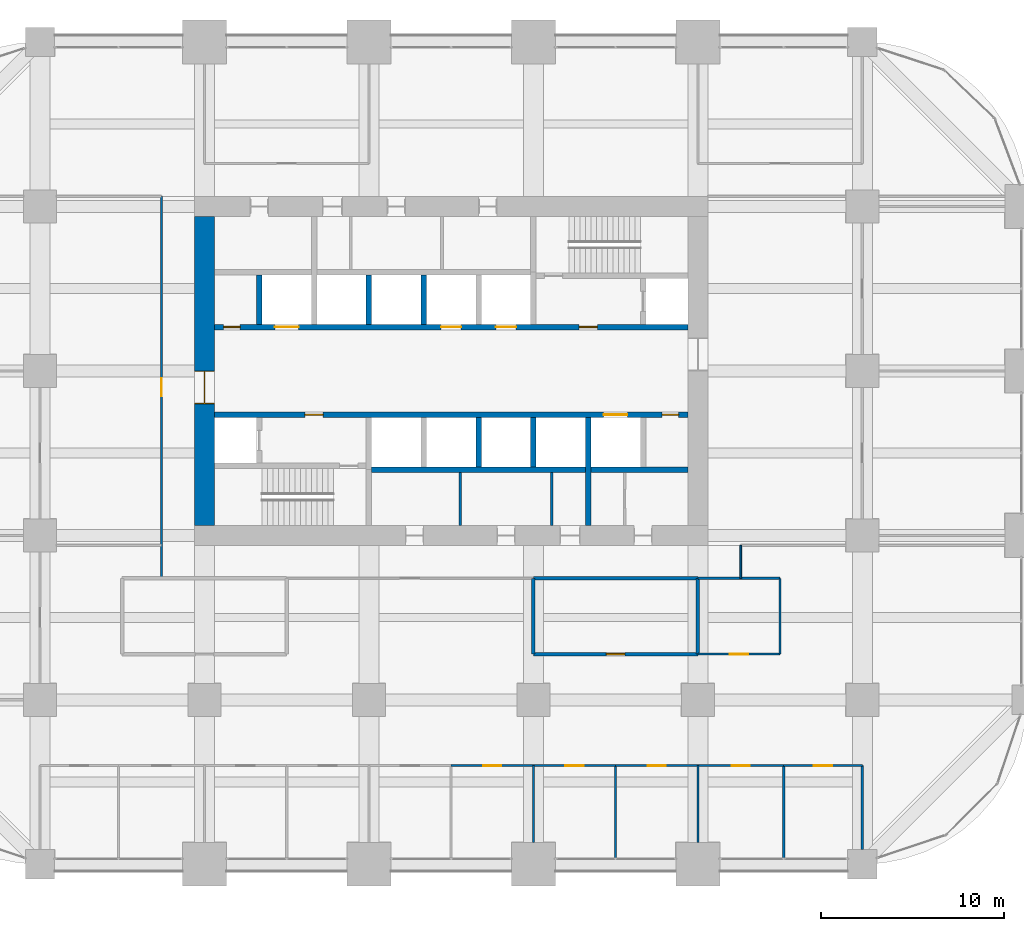
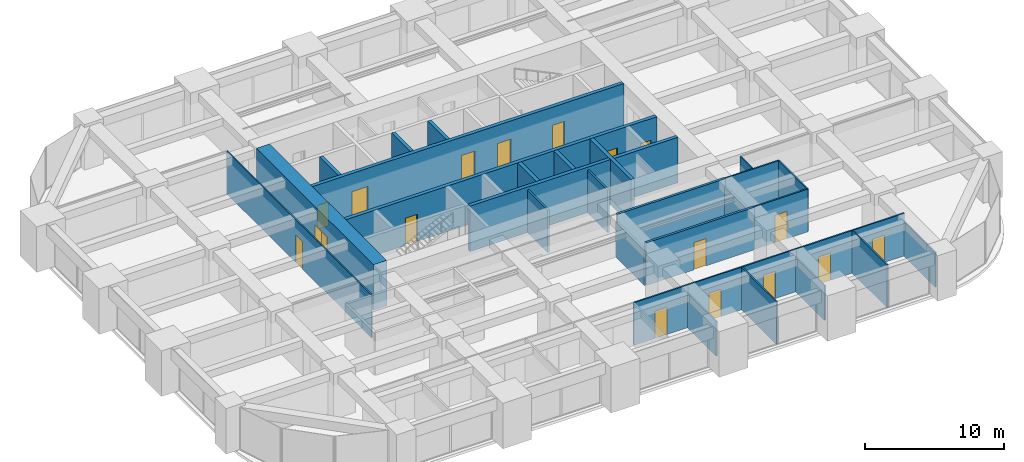
# One storey, part 37 of 40: 31 walls, 17 doors, 17 openings.
"""IFC4 building model written with IfcOpenShell, lengths in metres."""

from ifc_helpers import new_model, si_unit, direction, frame, frame_2d, origin, place, context, subcontext, project, spatial, rectangle, extrude, material, layer, layer_set, type_object, element, fill, save


model = new_model("IFC4")

# Units and contexts
model_context = context("Model", 3, precision=1e-05, world=origin(), true_north=direction((0.0, 1.0)))
body_context = subcontext(model_context, "Body", "Model", "MODEL_VIEW")
ifc_project = project(units=[si_unit("LENGTHUNIT", "METRE"), si_unit("AREAUNIT", "SQUARE_METRE"), si_unit("VOLUMEUNIT", "CUBIC_METRE"), si_unit("PLANEANGLEUNIT", "RADIAN"), si_unit("MASSUNIT", "GRAM", prefix="KILO")], contexts=[model_context])

# Site, building, storey
site_placement = place(None, origin())
site = spatial("IfcSite", under=ifc_project, at=site_placement, CompositionType="ELEMENT")
building_placement = place(site_placement, origin())
building = spatial("IfcBuilding", under=site, at=building_placement, Name="Zorevar Civic Tower", CompositionType="ELEMENT")
storey_placement = place(building_placement, frame((0.0, 0.0, 129.0)))
storey = spatial("IfcBuildingStorey", under=building, at=storey_placement, Name="L31", CompositionType="ELEMENT", Elevation=129.0)

# Wall, opening, door
ifc_material_1 = material(Name="Concrete blockwork", Category="masonry")
ifc_layer_1 = layer(ifc_material_1, 0.199951171875)
ifc_layer_set_1 = layer_set([ifc_layer_1], Name="Blockwork wall 200")
wall_type_1 = type_object("IfcWallType", Name="Blockwork wall 200", PredefinedType="SOLIDWALL", material=ifc_layer_set_1)
wall_1_placement = place(storey_placement, frame((36.0, 11.5, 0.0), z_axis=(0.0, 0.0, 1.0), x_axis=(1.0, 0.0, 0.0)))
wall_1 = element("IfcWall", 1, at=wall_1_placement, inside=storey, type_object=wall_type_1, Name="Blockwork wall 200 L31", PredefinedType="SOLIDWALL", context=body_context, shape_type="SweptSolid", body=[
    extrude(rectangle(XDim=9.0, YDim=0.199951171875, at=frame_2d((4.5, 0.0))), origin(), (0.0, 0.0, 1.0), 3.75),
])
opening_1_placement = place(wall_1_placement, frame((4.0, 0.0, 0.0)))
opening_1 = element("IfcOpeningElement", 2, at=opening_1_placement, cuts=wall_1, Name="Opening L31.28", PredefinedType="OPENING", context=body_context, shape_type="SweptSolid", body=[
    extrude(rectangle(XDim=1.0, YDim=2.39990234375, at=frame_2d((0.5, 1.199951171875))), frame((0.0, 0.10986328125, 0.0), z_axis=(0.0, -1.0, 0.0), x_axis=(1.0, 0.0, 0.0)), (0.0, 0.0, 1.0), 0.219970703125),
])
ifc_material_2 = material(Name="Steel door set", Category="steel")
door_type_1 = type_object("IfcDoorType", Name="Security door SD1 1000x2400", OperationType="SINGLE_SWING_LEFT", PredefinedType="DOOR", material=ifc_material_2)
door_1_placement = place(opening_1_placement, origin())
door_1 = element("IfcDoor", 3, at=door_1_placement, inside=storey, type_object=door_type_1, Name="Door L31 D1", OperationType="SINGLE_SWING_RIGHT", OverallHeight=2.39990234375, OverallWidth=1.0, PredefinedType="DOOR", context=body_context, shape_type="SweptSolid", body=[
    extrude(rectangle(XDim=1.0, YDim=2.39990234375, at=frame_2d((0.5, 1.199951171875))), frame((0.0, 0.03515625, 0.0), z_axis=(0.0, -1.0, 0.0), x_axis=(1.0, 0.0, 0.0)), (0.0, 0.0, 1.0), 0.070068359375),
])
fill(opening_1, door_1)

# Walls
wall_2_placement = place(storey_placement, frame((36.0, 15.64990234375, 0.0), z_axis=(0.0, 0.0, 1.0), x_axis=(1.0, 0.0, 0.0)))
element("IfcWall", 4, at=wall_2_placement, inside=storey, type_object=wall_type_1, Name="Blockwork wall 200 L31", PredefinedType="SOLIDWALL", context=body_context, shape_type="SweptSolid", body=[
    extrude(rectangle(XDim=9.0, YDim=0.199951171875, at=frame_2d((4.5, 0.0))), origin(), (0.0, 0.0, 1.0), 3.75),
])
for number, where, z_axis, x_axis, name in (
    (5, (36.0, 11.5, 0.0), (0.0, 0.0, 1.0), (0.0, 1.0, 0.0), "Blockwork wall 200 L31"),
    (6, (45.0, 11.5, 0.0), (0.0, 0.0, 1.0), (0.0, 1.0, 0.0), "Blockwork wall 200 L31"),
):
    element("IfcWall", number, at=place(storey_placement, frame(where, z_axis=z_axis, x_axis=x_axis)), inside=storey, type_object=wall_type_1, Name=name, PredefinedType="SOLIDWALL", context=body_context, shape_type="SweptSolid", body=[
        extrude(rectangle(XDim=4.14990234375, YDim=0.199951171875, at=frame_2d((2.074951171875, 0.0))), origin(), (0.0, 0.0, 1.0), 3.050048828125),
    ])

# Wall, opening, door
ifc_material_3 = material(Name="Concrete C50/60", Category="concrete")
ifc_layer_2 = layer(ifc_material_3, 1.10009765625)
ifc_layer_set_2 = layer_set([ifc_layer_2], Name="Core wall 1100")
wall_type_2 = type_object("IfcWallType", Name="Core wall 1100", PredefinedType="SHEAR", material=ifc_layer_set_2)
wall_3_placement = place(storey_placement, frame((18.0, 35.449951171875, 0.0), z_axis=(0.0, 0.0, 1.0), x_axis=(0.0, -1.0, 0.0)))
wall_3 = element("IfcWall", 7, at=wall_3_placement, inside=storey, type_object=wall_type_2, Name="Core wall W L31", PredefinedType="SHEAR", context=body_context, shape_type="SweptSolid", body=[
    extrude(rectangle(XDim=16.89990234375, YDim=1.10009765625, at=frame_2d((8.449951171875, 0.0))), origin(), (0.0, 0.0, 1.0), 4.0),
])
opening_2_placement = place(wall_3_placement, frame((8.449951171875, 0.0, 0.0)))
opening_2 = element("IfcOpeningElement", 8, at=opening_2_placement, cuts=wall_3, Name="Opening L31.01", PredefinedType="OPENING", context=body_context, shape_type="SweptSolid", body=[
    extrude(rectangle(XDim=1.800048828125, YDim=2.39990234375, at=frame_2d((0.89990234375, 1.199951171875))), frame((0.0, 0.56005859375, 0.0), z_axis=(0.0, -1.0, 0.0), x_axis=(1.0, 0.0, 0.0)), (0.0, 0.0, 1.0), 1.1201171875),
])
ifc_material_4 = material(Name="Steel door set", Category="steel")
door_type_2 = type_object("IfcDoorType", Name="Fire door FD2 1800x2400", OperationType="DOUBLE_DOOR_DOUBLE_SWING", PredefinedType="DOOR", material=ifc_material_4)
door_2_placement = place(opening_2_placement, origin())
door_2 = element("IfcDoor", 9, at=door_2_placement, inside=storey, type_object=door_type_2, Name="Door L31 00", OperationType="DOUBLE_DOOR_DOUBLE_SWING", OverallHeight=2.39990234375, OverallWidth=1.800048828125, PredefinedType="DOOR", context=body_context, shape_type="SweptSolid", body=[
    extrude(rectangle(XDim=1.800048828125, YDim=2.39990234375, at=frame_2d((0.89990234375, 1.199951171875))), frame((0.0, 0.030029296875, 0.0), z_axis=(0.0, -1.0, 0.0), x_axis=(1.0, 0.0, 0.0)), (0.0, 0.0, 1.0), 0.06005859375),
    extrude(rectangle(XDim=0.04, YDim=2.39990234375, at=frame_2d((0.02001953125, 1.199951171875))), frame((0.0, 0.5498046875, 0.0), z_axis=(0.0, -1.0, 0.0), x_axis=(1.0, 0.0, 0.0)), (0.0, 0.0, 1.0), 1.099609375),
    extrude(rectangle(XDim=0.04, YDim=2.39990234375, at=frame_2d((1.780029296875, 1.199951171875))), frame((0.0, 0.5498046875, 0.0), z_axis=(0.0, -1.0, 0.0), x_axis=(1.0, 0.0, 0.0)), (0.0, 0.0, 1.0), 1.099609375),
    extrude(rectangle(XDim=1.800048828125, YDim=0.04, at=frame_2d((0.89990234375, 2.3798828125))), frame((0.0, 0.5498046875, 0.0), z_axis=(0.0, -1.0, 0.0), x_axis=(1.0, 0.0, 0.0)), (0.0, 0.0, 1.0), 1.099609375),
])
fill(opening_2, door_2)

ifc_material_5 = material(Name="Laminated glass in black aluminium frame", Category="aluminium")
ifc_layer_3 = layer(ifc_material_5, 0.10009765625)
ifc_layer_set_3 = layer_set([ifc_layer_3], Name="Glazed partition 100")
wall_type_3 = type_object("IfcWallType", Name="Glazed partition 100", PredefinedType="PARTITIONING", material=ifc_layer_set_3)
wall_4_placement = place(storey_placement, frame((15.64990234375, 15.64990234375, 0.0), z_axis=(0.0, 0.0, 1.0), x_axis=(0.0, 1.0, 0.0)))
wall_4 = element("IfcWall", 10, at=wall_4_placement, inside=storey, type_object=wall_type_3, Name="Glazed partition 100 L31", PredefinedType="PARTITIONING", context=body_context, shape_type="SweptSolid", body=[
    extrude(rectangle(XDim=20.900146484375, YDim=0.10009765625, at=frame_2d((10.4501953125, 0.0))), origin(), (0.0, 0.0, 1.0), 3.75),
])
opening_3_placement = place(wall_4_placement, frame((9.949951171875, 0.0, 0.0)))
opening_3 = element("IfcOpeningElement", 11, at=opening_3_placement, cuts=wall_4, Name="Opening L31.35", PredefinedType="OPENING", context=body_context, shape_type="SweptSolid", body=[
    extrude(rectangle(XDim=1.0, YDim=2.39990234375, at=frame_2d((0.5, 1.199951171875))), frame((0.0, 0.06005859375, 0.0), z_axis=(0.0, -1.0, 0.0), x_axis=(1.0, 0.0, 0.0)), (0.0, 0.0, 1.0), 0.1201171875),
])
ifc_material_6 = material(Name="Timber door set", Category="wood")
door_type_3 = type_object("IfcDoorType", Name="Glazed door GD1 1000x2400", OperationType="SINGLE_SWING_LEFT", PredefinedType="DOOR", material=ifc_material_6)
door_3_placement = place(opening_3_placement, origin())
door_3 = element("IfcDoor", 12, at=door_3_placement, inside=storey, type_object=door_type_3, Name="Door L31 D1", OperationType="SINGLE_SWING_RIGHT", OverallHeight=2.39990234375, OverallWidth=1.0, PredefinedType="DOOR", context=body_context, shape_type="SweptSolid", body=[
    extrude(rectangle(XDim=1.0, YDim=2.39990234375, at=frame_2d((0.5, 1.199951171875))), frame((0.0, 0.02001953125, 0.0), z_axis=(0.0, -1.0, 0.0), x_axis=(1.0, 0.0, 0.0)), (0.0, 0.0, 1.0), 0.0400390625),
])
fill(opening_3, door_3)

# Wall
wall_5_placement = place(storey_placement, frame((47.35009765625, 15.64990234375, 0.0), z_axis=(0.0, 0.0, 1.0), x_axis=(0.0, 1.0, 0.0)))
element("IfcWall", 13, at=wall_5_placement, inside=storey, type_object=wall_type_3, Name="Glazed partition 100 L31", PredefinedType="PARTITIONING", context=body_context, shape_type="SweptSolid", body=[
    extrude(rectangle(XDim=1.800048828125, YDim=0.10009765625, at=frame_2d((0.89990234375, 0.0))), origin(), (0.0, 0.0, 1.0), 3.75),
])

# Wall, openings, doors
ifc_material_7 = material(Name="Concrete C40/50", Category="concrete")
ifc_layer_4 = layer(ifc_material_7, 0.300048828125)
ifc_layer_set_4 = layer_set([ifc_layer_4], Name="Inner core wall 300")
wall_type_4 = type_object("IfcWallType", Name="Inner core wall 300", PredefinedType="SHEAR", material=ifc_layer_set_4)
wall_6_placement = place(storey_placement, frame((18.550048828125, 24.60009765625, 0.0), z_axis=(0.0, 0.0, 1.0), x_axis=(1.0, 0.0, 0.0)))
wall_6 = element("IfcWall", 14, at=wall_6_placement, inside=storey, type_object=wall_type_4, Name="Inner core wall S03 L31", PredefinedType="SHEAR", context=body_context, shape_type="SweptSolid", body=[
    extrude(rectangle(XDim=25.89990234375, YDim=0.300048828125, at=frame_2d((12.949951171875, 0.0))), origin(), (0.0, 0.0, 1.0), 4.0),
])
opening_4_placement = place(wall_6_placement, frame((4.949951171875, 0.0, 0.0)))
opening_4 = element("IfcOpeningElement", 15, at=opening_4_placement, cuts=wall_6, Name="Opening L31.13", PredefinedType="OPENING", context=body_context, shape_type="SweptSolid", body=[
    extrude(rectangle(XDim=1.0, YDim=2.39990234375, at=frame_2d((0.5, 1.199951171875))), frame((0.0, 0.159912109375, 0.0), z_axis=(0.0, -1.0, 0.0), x_axis=(1.0, 0.0, 0.0)), (0.0, 0.0, 1.0), 0.320068359375),
])
opening_5_placement = place(wall_6_placement, frame((24.5, 0.0, 0.0)))
opening_5 = element("IfcOpeningElement", 16, at=opening_5_placement, cuts=wall_6, Name="Opening L31.15", PredefinedType="OPENING", context=body_context, shape_type="SweptSolid", body=[
    extrude(rectangle(XDim=0.89990234375, YDim=2.10009765625, at=frame_2d((0.449951171875, 1.050048828125))), frame((0.0, 0.159912109375, 0.0), z_axis=(0.0, -1.0, 0.0), x_axis=(1.0, 0.0, 0.0)), (0.0, 0.0, 1.0), 0.320068359375),
])
opening_6_placement = place(wall_6_placement, frame((21.300048828125, 0.0, 0.0)))
opening_6 = element("IfcOpeningElement", 17, at=opening_6_placement, cuts=wall_6, Name="Opening L31.SL1", PredefinedType="OPENING", context=body_context, shape_type="SweptSolid", body=[
    extrude(rectangle(XDim=1.300048828125, YDim=2.39990234375, at=frame_2d((0.64990234375, 1.199951171875))), frame((0.0, 0.159912109375, 0.0), z_axis=(0.0, -1.0, 0.0), x_axis=(1.0, 0.0, 0.0)), (0.0, 0.0, 1.0), 0.320068359375),
])
ifc_material_8 = material(Name="Steel door set", Category="steel")
door_type_4 = type_object("IfcDoorType", Name="Fire door FD1 1000x2400", OperationType="SINGLE_SWING_LEFT", PredefinedType="DOOR", material=ifc_material_8)
door_4_placement = place(opening_4_placement, origin())
door_4 = element("IfcDoor", 18, at=door_4_placement, inside=storey, type_object=door_type_4, Name="Door L31 12", OperationType="SINGLE_SWING_RIGHT", OverallHeight=2.39990234375, OverallWidth=1.0, PredefinedType="DOOR", context=body_context, shape_type="SweptSolid", body=[
    extrude(rectangle(XDim=1.0, YDim=2.39990234375, at=frame_2d((0.5, 1.199951171875))), frame((0.0, 0.030029296875, 0.0), z_axis=(0.0, -1.0, 0.0), x_axis=(1.0, 0.0, 0.0)), (0.0, 0.0, 1.0), 0.06005859375),
])
fill(opening_4, door_4)
ifc_material_9 = material(Name="Steel door set", Category="steel")
door_type_5 = type_object("IfcDoorType", Name="Landing door LD2 1300x2400", OperationType="DOUBLE_DOOR_SLIDING", PredefinedType="DOOR", material=ifc_material_9)
door_5_placement = place(opening_6_placement, origin())
door_5 = element("IfcDoor", 19, at=door_5_placement, inside=storey, type_object=door_type_5, Name="Landing door SL1 L31", OperationType="DOUBLE_DOOR_SLIDING", OverallHeight=2.39990234375, OverallWidth=1.300048828125, PredefinedType="DOOR", context=body_context, shape_type="SweptSolid", body=[
    extrude(rectangle(XDim=1.300048828125, YDim=2.39990234375, at=frame_2d((0.64990234375, 1.199951171875))), frame((0.0, 0.02001953125, 0.0), z_axis=(0.0, -1.0, 0.0), x_axis=(1.0, 0.0, 0.0)), (0.0, 0.0, 1.0), 0.0400390625),
])
fill(opening_6, door_5)
ifc_material_10 = material(Name="Steel door set", Category="steel")
door_type_6 = type_object("IfcDoorType", Name="Riser door RD1 900x2100", OperationType="SINGLE_SWING_LEFT", PredefinedType="DOOR", material=ifc_material_10)
door_6_placement = place(opening_5_placement, origin())
door_6 = element("IfcDoor", 20, at=door_6_placement, inside=storey, type_object=door_type_6, Name="Door L31 14", OperationType="SINGLE_SWING_RIGHT", OverallHeight=2.10009765625, OverallWidth=0.89990234375, PredefinedType="DOOR", context=body_context, shape_type="SweptSolid", body=[
    extrude(rectangle(XDim=0.89990234375, YDim=2.10009765625, at=frame_2d((0.449951171875, 1.050048828125))), frame((0.0, 0.030029296875, 0.0), z_axis=(0.0, -1.0, 0.0), x_axis=(1.0, 0.0, 0.0)), (0.0, 0.0, 1.0), 0.06005859375),
])
fill(opening_5, door_6)

wall_7_placement = place(storey_placement, frame((18.550048828125, 29.39990234375, 0.0), z_axis=(0.0, 0.0, 1.0), x_axis=(1.0, 0.0, 0.0)))
wall_7 = element("IfcWall", 21, at=wall_7_placement, inside=storey, type_object=wall_type_4, Name="Inner core wall N03 L31", PredefinedType="SHEAR", context=body_context, shape_type="SweptSolid", body=[
    extrude(rectangle(XDim=25.89990234375, YDim=0.300048828125, at=frame_2d((12.949951171875, 0.0))), origin(), (0.0, 0.0, 1.0), 4.0),
])
opening_7_placement = place(wall_7_placement, frame((19.949951171875, 0.0, 0.0)))
opening_7 = element("IfcOpeningElement", 22, at=opening_7_placement, cuts=wall_7, Name="Opening L31.14", PredefinedType="OPENING", context=body_context, shape_type="SweptSolid", body=[
    extrude(rectangle(XDim=1.0, YDim=2.39990234375, at=frame_2d((0.5, 1.199951171875))), frame((0.0, 0.159912109375, 0.0), z_axis=(0.0, -1.0, 0.0), x_axis=(1.0, 0.0, 0.0)), (0.0, 0.0, 1.0), 0.320068359375),
])
opening_8_placement = place(wall_7_placement, frame((0.5, 0.0, 0.0)))
opening_8 = element("IfcOpeningElement", 23, at=opening_8_placement, cuts=wall_7, Name="Opening L31.16", PredefinedType="OPENING", context=body_context, shape_type="SweptSolid", body=[
    extrude(rectangle(XDim=0.89990234375, YDim=2.10009765625, at=frame_2d((0.449951171875, 1.050048828125))), frame((0.0, 0.159912109375, 0.0), z_axis=(0.0, -1.0, 0.0), x_axis=(1.0, 0.0, 0.0)), (0.0, 0.0, 1.0), 0.320068359375),
])
opening_9_placement = place(wall_7_placement, frame((15.39990234375, 0.0, 0.0)))
opening_9 = element("IfcOpeningElement", 24, at=opening_9_placement, cuts=wall_7, Name="Opening L31.LM1", PredefinedType="OPENING", context=body_context, shape_type="SweptSolid", body=[
    extrude(rectangle(XDim=1.10009765625, YDim=2.39990234375, at=frame_2d((0.550048828125, 1.199951171875))), frame((0.0, 0.159912109375, 0.0), z_axis=(0.0, -1.0, 0.0), x_axis=(1.0, 0.0, 0.0)), (0.0, 0.0, 1.0), 0.320068359375),
])
opening_10_placement = place(wall_7_placement, frame((12.39990234375, 0.0, 0.0)))
opening_10 = element("IfcOpeningElement", 25, at=opening_10_placement, cuts=wall_7, Name="Opening L31.LM2", PredefinedType="OPENING", context=body_context, shape_type="SweptSolid", body=[
    extrude(rectangle(XDim=1.10009765625, YDim=2.39990234375, at=frame_2d((0.550048828125, 1.199951171875))), frame((0.0, 0.159912109375, 0.0), z_axis=(0.0, -1.0, 0.0), x_axis=(1.0, 0.0, 0.0)), (0.0, 0.0, 1.0), 0.320068359375),
])
opening_11_placement = place(wall_7_placement, frame((3.300048828125, 0.0, 0.0)))
opening_11 = element("IfcOpeningElement", 26, at=opening_11_placement, cuts=wall_7, Name="Opening L31.SL2", PredefinedType="OPENING", context=body_context, shape_type="SweptSolid", body=[
    extrude(rectangle(XDim=1.300048828125, YDim=2.39990234375, at=frame_2d((0.64990234375, 1.199951171875))), frame((0.0, 0.159912109375, 0.0), z_axis=(0.0, -1.0, 0.0), x_axis=(1.0, 0.0, 0.0)), (0.0, 0.0, 1.0), 0.320068359375),
])
door_7_placement = place(opening_7_placement, origin())
door_7 = element("IfcDoor", 27, at=door_7_placement, inside=storey, type_object=door_type_4, Name="Door L31 13", OperationType="SINGLE_SWING_RIGHT", OverallHeight=2.39990234375, OverallWidth=1.0, PredefinedType="DOOR", context=body_context, shape_type="SweptSolid", body=[
    extrude(rectangle(XDim=1.0, YDim=2.39990234375, at=frame_2d((0.5, 1.199951171875))), frame((0.0, 0.030029296875, 0.0), z_axis=(0.0, -1.0, 0.0), x_axis=(1.0, 0.0, 0.0)), (0.0, 0.0, 1.0), 0.06005859375),
])
fill(opening_7, door_7)
ifc_material_11 = material(Name="Steel door set", Category="steel")
door_type_7 = type_object("IfcDoorType", Name="Landing door LD1 1100x2400", OperationType="DOUBLE_DOOR_SLIDING", PredefinedType="DOOR", material=ifc_material_11)
door_8_placement = place(opening_9_placement, origin())
door_8 = element("IfcDoor", 28, at=door_8_placement, inside=storey, type_object=door_type_7, Name="Landing door LM1 L31", OperationType="DOUBLE_DOOR_SLIDING", OverallHeight=2.39990234375, OverallWidth=1.10009765625, PredefinedType="DOOR", context=body_context, shape_type="SweptSolid", body=[
    extrude(rectangle(XDim=1.10009765625, YDim=2.39990234375, at=frame_2d((0.550048828125, 1.199951171875))), frame((0.0, 0.02001953125, 0.0), z_axis=(0.0, -1.0, 0.0), x_axis=(1.0, 0.0, 0.0)), (0.0, 0.0, 1.0), 0.0400390625),
])
fill(opening_9, door_8)
door_9_placement = place(opening_10_placement, origin())
door_9 = element("IfcDoor", 29, at=door_9_placement, inside=storey, type_object=door_type_7, Name="Landing door LM2 L31", OperationType="DOUBLE_DOOR_SLIDING", OverallHeight=2.39990234375, OverallWidth=1.10009765625, PredefinedType="DOOR", context=body_context, shape_type="SweptSolid", body=[
    extrude(rectangle(XDim=1.10009765625, YDim=2.39990234375, at=frame_2d((0.550048828125, 1.199951171875))), frame((0.0, 0.02001953125, 0.0), z_axis=(0.0, -1.0, 0.0), x_axis=(1.0, 0.0, 0.0)), (0.0, 0.0, 1.0), 0.0400390625),
])
fill(opening_10, door_9)
door_10_placement = place(opening_11_placement, origin())
door_10 = element("IfcDoor", 30, at=door_10_placement, inside=storey, type_object=door_type_5, Name="Landing door SL2 L31", OperationType="DOUBLE_DOOR_SLIDING", OverallHeight=2.39990234375, OverallWidth=1.300048828125, PredefinedType="DOOR", context=body_context, shape_type="SweptSolid", body=[
    extrude(rectangle(XDim=1.300048828125, YDim=2.39990234375, at=frame_2d((0.64990234375, 1.199951171875))), frame((0.0, 0.02001953125, 0.0), z_axis=(0.0, -1.0, 0.0), x_axis=(1.0, 0.0, 0.0)), (0.0, 0.0, 1.0), 0.0400390625),
])
fill(opening_11, door_10)
door_11_placement = place(opening_8_placement, origin())
door_11 = element("IfcDoor", 31, at=door_11_placement, inside=storey, type_object=door_type_6, Name="Door L31 15", OperationType="SINGLE_SWING_RIGHT", OverallHeight=2.10009765625, OverallWidth=0.89990234375, PredefinedType="DOOR", context=body_context, shape_type="SweptSolid", body=[
    extrude(rectangle(XDim=0.89990234375, YDim=2.10009765625, at=frame_2d((0.449951171875, 1.050048828125))), frame((0.0, 0.030029296875, 0.0), z_axis=(0.0, -1.0, 0.0), x_axis=(1.0, 0.0, 0.0)), (0.0, 0.0, 1.0), 0.06005859375),
])
fill(opening_8, door_11)

# Walls
wall_8_placement = place(storey_placement, frame((27.14990234375, 21.60009765625, 0.0), z_axis=(0.0, 0.0, 1.0), x_axis=(1.0, 0.0, 0.0)))
element("IfcWall", 32, at=wall_8_placement, inside=storey, type_object=wall_type_4, Name="Inner core wall S04 L31", PredefinedType="SHEAR", context=body_context, shape_type="SweptSolid", body=[
    extrude(rectangle(XDim=17.300048828125, YDim=0.300048828125, at=frame_2d((8.64990234375, 0.0))), origin(), (0.0, 0.0, 1.0), 4.0),
])
for number, where, z_axis, x_axis, name in (
    (33, (33.0, 21.75, 0.0), (0.0, 0.0, 1.0), (0.0, 1.0, 0.0), "Inner core wall S06 L31"),
    (34, (30.0, 29.550048828125, 0.0), (0.0, 0.0, 1.0), (0.0, 1.0, 0.0), "Inner core wall N06 L31"),
    (35, (36.0, 21.75, 0.0), (0.0, 0.0, 1.0), (0.0, 1.0, 0.0), "Inner core wall S07 L31"),
    (36, (27.0, 29.550048828125, 0.0), (0.0, 0.0, 1.0), (0.0, 1.0, 0.0), "Inner core wall N07 L31"),
):
    element("IfcWall", number, at=place(storey_placement, frame(where, z_axis=z_axis, x_axis=x_axis)), inside=storey, type_object=wall_type_4, Name=name, PredefinedType="SHEAR", context=body_context, shape_type="SweptSolid", body=[
        extrude(rectangle(XDim=2.699951171875, YDim=0.300048828125, at=frame_2d((1.35009765625, 0.0))), origin(), (0.0, 0.0, 1.0), 4.0),
    ])
wall_9_placement = place(storey_placement, frame((39.0, 18.550048828125, 0.0), z_axis=(0.0, 0.0, 1.0), x_axis=(0.0, 1.0, 0.0)))
element("IfcWall", 37, at=wall_9_placement, inside=storey, type_object=wall_type_4, Name="Inner core wall S08 L31", PredefinedType="SHEAR", context=body_context, shape_type="SweptSolid", body=[
    extrude(rectangle(XDim=5.89990234375, YDim=0.300048828125, at=frame_2d((2.949951171875, 0.0))), origin(), (0.0, 0.0, 1.0), 4.0),
])
wall_10_placement = place(storey_placement, frame((21.0, 29.550048828125, 0.0), z_axis=(0.0, 0.0, 1.0), x_axis=(0.0, 1.0, 0.0)))
element("IfcWall", 38, at=wall_10_placement, inside=storey, type_object=wall_type_4, Name="Inner core wall N09 L31", PredefinedType="SHEAR", context=body_context, shape_type="SweptSolid", body=[
    extrude(rectangle(XDim=2.699951171875, YDim=0.300048828125, at=frame_2d((1.35009765625, 0.0))), origin(), (0.0, 0.0, 1.0), 4.0),
])

# Wall, opening, door
ifc_material_12 = material(Name="Gypsum board on steel studs", Category="steel")
ifc_layer_5 = layer(ifc_material_12, 0.1201171875)
ifc_layer_set_5 = layer_set([ifc_layer_5], Name="Partition 120")
wall_type_5 = type_object("IfcWallType", Name="Partition 120", PredefinedType="PARTITIONING", material=ifc_layer_set_5)
wall_11_placement = place(storey_placement, frame((31.5, 5.39990234375, 0.0), z_axis=(0.0, 0.0, 1.0), x_axis=(1.0, 0.0, 0.0)))
wall_11 = element("IfcWall", 39, at=wall_11_placement, inside=storey, type_object=wall_type_5, Name="Partition 120 L31", PredefinedType="PARTITIONING", context=body_context, shape_type="SweptSolid", body=[
    extrude(rectangle(XDim=4.5, YDim=0.1201171875, at=frame_2d((2.25, 0.0))), origin(), (0.0, 0.0, 1.0), 3.75),
])
opening_12_placement = place(wall_11_placement, frame((1.75, 0.0, 0.0)))
opening_12 = element("IfcOpeningElement", 40, at=opening_12_placement, cuts=wall_11, Name="Opening L31.22", PredefinedType="OPENING", context=body_context, shape_type="SweptSolid", body=[
    extrude(rectangle(XDim=1.0, YDim=2.39990234375, at=frame_2d((0.5, 1.199951171875))), frame((0.0, 0.070068359375, 0.0), z_axis=(0.0, -1.0, 0.0), x_axis=(1.0, 0.0, 0.0)), (0.0, 0.0, 1.0), 0.14013671875),
])
ifc_material_13 = material(Name="Timber door set", Category="wood")
door_type_8 = type_object("IfcDoorType", Name="Door D1 1000x2400", OperationType="SINGLE_SWING_LEFT", PredefinedType="DOOR", material=ifc_material_13)
door_12_placement = place(opening_12_placement, origin())
door_12 = element("IfcDoor", 41, at=door_12_placement, inside=storey, type_object=door_type_8, Name="Door L31 D1", OperationType="SINGLE_SWING_LEFT", OverallHeight=2.39990234375, OverallWidth=1.0, PredefinedType="DOOR", context=body_context, shape_type="SweptSolid", body=[
    extrude(rectangle(XDim=1.0, YDim=2.39990234375, at=frame_2d((0.5, 1.199951171875))), frame((0.0, 0.02490234375, 0.0), z_axis=(0.0, -1.0, 0.0), x_axis=(1.0, 0.0, 0.0)), (0.0, 0.0, 1.0), 0.050048828125),
])
fill(opening_12, door_12)

wall_12_placement = place(storey_placement, frame((36.0, 5.39990234375, 0.0), z_axis=(0.0, 0.0, 1.0), x_axis=(1.0, 0.0, 0.0)))
wall_12 = element("IfcWall", 42, at=wall_12_placement, inside=storey, type_object=wall_type_5, Name="Partition 120 L31", PredefinedType="PARTITIONING", context=body_context, shape_type="SweptSolid", body=[
    extrude(rectangle(XDim=4.5, YDim=0.1201171875, at=frame_2d((2.25, 0.0))), origin(), (0.0, 0.0, 1.0), 3.75),
])
opening_13_placement = place(wall_12_placement, frame((1.75, 0.0, 0.0)))
opening_13 = element("IfcOpeningElement", 43, at=opening_13_placement, cuts=wall_12, Name="Opening L31.23", PredefinedType="OPENING", context=body_context, shape_type="SweptSolid", body=[
    extrude(rectangle(XDim=1.0, YDim=2.39990234375, at=frame_2d((0.5, 1.199951171875))), frame((0.0, 0.070068359375, 0.0), z_axis=(0.0, -1.0, 0.0), x_axis=(1.0, 0.0, 0.0)), (0.0, 0.0, 1.0), 0.14013671875),
])
door_13_placement = place(opening_13_placement, origin())
door_13 = element("IfcDoor", 44, at=door_13_placement, inside=storey, type_object=door_type_8, Name="Door L31 D1", OperationType="SINGLE_SWING_LEFT", OverallHeight=2.39990234375, OverallWidth=1.0, PredefinedType="DOOR", context=body_context, shape_type="SweptSolid", body=[
    extrude(rectangle(XDim=1.0, YDim=2.39990234375, at=frame_2d((0.5, 1.199951171875))), frame((0.0, 0.02490234375, 0.0), z_axis=(0.0, -1.0, 0.0), x_axis=(1.0, 0.0, 0.0)), (0.0, 0.0, 1.0), 0.050048828125),
])
fill(opening_13, door_13)

wall_13_placement = place(storey_placement, frame((40.5, 5.39990234375, 0.0), z_axis=(0.0, 0.0, 1.0), x_axis=(1.0, 0.0, 0.0)))
wall_13 = element("IfcWall", 45, at=wall_13_placement, inside=storey, type_object=wall_type_5, Name="Partition 120 L31", PredefinedType="PARTITIONING", context=body_context, shape_type="SweptSolid", body=[
    extrude(rectangle(XDim=4.5, YDim=0.1201171875, at=frame_2d((2.25, 0.0))), origin(), (0.0, 0.0, 1.0), 3.75),
])
opening_14_placement = place(wall_13_placement, frame((1.75, 0.0, 0.0)))
opening_14 = element("IfcOpeningElement", 46, at=opening_14_placement, cuts=wall_13, Name="Opening L31.24", PredefinedType="OPENING", context=body_context, shape_type="SweptSolid", body=[
    extrude(rectangle(XDim=1.0, YDim=2.39990234375, at=frame_2d((0.5, 1.199951171875))), frame((0.0, 0.070068359375, 0.0), z_axis=(0.0, -1.0, 0.0), x_axis=(1.0, 0.0, 0.0)), (0.0, 0.0, 1.0), 0.14013671875),
])
door_14_placement = place(opening_14_placement, origin())
door_14 = element("IfcDoor", 47, at=door_14_placement, inside=storey, type_object=door_type_8, Name="Door L31 D1", OperationType="SINGLE_SWING_LEFT", OverallHeight=2.39990234375, OverallWidth=1.0, PredefinedType="DOOR", context=body_context, shape_type="SweptSolid", body=[
    extrude(rectangle(XDim=1.0, YDim=2.39990234375, at=frame_2d((0.5, 1.199951171875))), frame((0.0, 0.02490234375, 0.0), z_axis=(0.0, -1.0, 0.0), x_axis=(1.0, 0.0, 0.0)), (0.0, 0.0, 1.0), 0.050048828125),
])
fill(opening_14, door_14)

wall_14_placement = place(storey_placement, frame((45.0, 5.39990234375, 0.0), z_axis=(0.0, 0.0, 1.0), x_axis=(1.0, 0.0, 0.0)))
wall_14 = element("IfcWall", 48, at=wall_14_placement, inside=storey, type_object=wall_type_5, Name="Partition 120 L31", PredefinedType="PARTITIONING", context=body_context, shape_type="SweptSolid", body=[
    extrude(rectangle(XDim=4.699951171875, YDim=0.1201171875, at=frame_2d((2.35009765625, 0.0))), origin(), (0.0, 0.0, 1.0), 3.75),
])
opening_15_placement = place(wall_14_placement, frame((1.85009765625, 0.0, 0.0)))
opening_15 = element("IfcOpeningElement", 49, at=opening_15_placement, cuts=wall_14, Name="Opening L31.25", PredefinedType="OPENING", context=body_context, shape_type="SweptSolid", body=[
    extrude(rectangle(XDim=1.0, YDim=2.39990234375, at=frame_2d((0.5, 1.199951171875))), frame((0.0, 0.070068359375, 0.0), z_axis=(0.0, -1.0, 0.0), x_axis=(1.0, 0.0, 0.0)), (0.0, 0.0, 1.0), 0.14013671875),
])
door_15_placement = place(opening_15_placement, origin())
door_15 = element("IfcDoor", 50, at=door_15_placement, inside=storey, type_object=door_type_8, Name="Door L31 D1", OperationType="SINGLE_SWING_LEFT", OverallHeight=2.39990234375, OverallWidth=1.0, PredefinedType="DOOR", context=body_context, shape_type="SweptSolid", body=[
    extrude(rectangle(XDim=1.0, YDim=2.39990234375, at=frame_2d((0.5, 1.199951171875))), frame((0.0, 0.02490234375, 0.0), z_axis=(0.0, -1.0, 0.0), x_axis=(1.0, 0.0, 0.0)), (0.0, 0.0, 1.0), 0.050048828125),
])
fill(opening_15, door_15)

wall_15_placement = place(storey_placement, frame((49.699951171875, 5.39990234375, 0.0), z_axis=(0.0, 0.0, 1.0), x_axis=(1.0, 0.0, 0.0)))
wall_15 = element("IfcWall", 51, at=wall_15_placement, inside=storey, type_object=wall_type_5, Name="Partition 120 L31", PredefinedType="PARTITIONING", context=body_context, shape_type="SweptSolid", body=[
    extrude(rectangle(XDim=4.300048828125, YDim=0.1201171875, at=frame_2d((2.14990234375, 0.0))), origin(), (0.0, 0.0, 1.0), 3.75),
])
opening_16_placement = place(wall_15_placement, frame((1.64990234375, 0.0, 0.0)))
opening_16 = element("IfcOpeningElement", 52, at=opening_16_placement, cuts=wall_15, Name="Opening L31.26", PredefinedType="OPENING", context=body_context, shape_type="SweptSolid", body=[
    extrude(rectangle(XDim=1.0, YDim=2.39990234375, at=frame_2d((0.5, 1.199951171875))), frame((0.0, 0.070068359375, 0.0), z_axis=(0.0, -1.0, 0.0), x_axis=(1.0, 0.0, 0.0)), (0.0, 0.0, 1.0), 0.14013671875),
])
door_16_placement = place(opening_16_placement, origin())
door_16 = element("IfcDoor", 53, at=door_16_placement, inside=storey, type_object=door_type_8, Name="Door L31 D1", OperationType="SINGLE_SWING_LEFT", OverallHeight=2.39990234375, OverallWidth=1.0, PredefinedType="DOOR", context=body_context, shape_type="SweptSolid", body=[
    extrude(rectangle(XDim=1.0, YDim=2.39990234375, at=frame_2d((0.5, 1.199951171875))), frame((0.0, 0.02490234375, 0.0), z_axis=(0.0, -1.0, 0.0), x_axis=(1.0, 0.0, 0.0)), (0.0, 0.0, 1.0), 0.050048828125),
])
fill(opening_16, door_16)

wall_16_placement = place(storey_placement, frame((45.0, 11.5, 0.0), z_axis=(0.0, 0.0, 1.0), x_axis=(1.0, 0.0, 0.0)))
wall_16 = element("IfcWall", 54, at=wall_16_placement, inside=storey, type_object=wall_type_5, Name="Partition 120 L31", PredefinedType="PARTITIONING", context=body_context, shape_type="SweptSolid", body=[
    extrude(rectangle(XDim=4.5, YDim=0.1201171875, at=frame_2d((2.25, 0.0))), origin(), (0.0, 0.0, 1.0), 3.75),
])
opening_17_placement = place(wall_16_placement, frame((1.75, 0.0, 0.0)))
opening_17 = element("IfcOpeningElement", 55, at=opening_17_placement, cuts=wall_16, Name="Opening L31.29", PredefinedType="OPENING", context=body_context, shape_type="SweptSolid", body=[
    extrude(rectangle(XDim=1.0, YDim=2.39990234375, at=frame_2d((0.5, 1.199951171875))), frame((0.0, 0.070068359375, 0.0), z_axis=(0.0, -1.0, 0.0), x_axis=(1.0, 0.0, 0.0)), (0.0, 0.0, 1.0), 0.14013671875),
])
door_17_placement = place(opening_17_placement, origin())
door_17 = element("IfcDoor", 56, at=door_17_placement, inside=storey, type_object=door_type_8, Name="Door L31 D1", OperationType="SINGLE_SWING_RIGHT", OverallHeight=2.39990234375, OverallWidth=1.0, PredefinedType="DOOR", context=body_context, shape_type="SweptSolid", body=[
    extrude(rectangle(XDim=1.0, YDim=2.39990234375, at=frame_2d((0.5, 1.199951171875))), frame((0.0, 0.02490234375, 0.0), z_axis=(0.0, -1.0, 0.0), x_axis=(1.0, 0.0, 0.0)), (0.0, 0.0, 1.0), 0.050048828125),
])
fill(opening_17, door_17)

# Walls
wall_17_placement = place(storey_placement, frame((45.0, 15.64990234375, 0.0), z_axis=(0.0, 0.0, 1.0), x_axis=(1.0, 0.0, 0.0)))
element("IfcWall", 57, at=wall_17_placement, inside=storey, type_object=wall_type_5, Name="Partition 120 L31", PredefinedType="PARTITIONING", context=body_context, shape_type="SweptSolid", body=[
    extrude(rectangle(XDim=4.5, YDim=0.1201171875, at=frame_2d((2.25, 0.0))), origin(), (0.0, 0.0, 1.0), 3.75),
])
wall_18_placement = place(storey_placement, frame((36.0, 1.199951171875, 0.0), z_axis=(0.0, 0.0, 1.0), x_axis=(0.0, 1.0, 0.0)))
element("IfcWall", 58, at=wall_18_placement, inside=storey, type_object=wall_type_5, Name="Partition 120 L31", PredefinedType="PARTITIONING", context=body_context, shape_type="SweptSolid", body=[
    extrude(rectangle(XDim=4.199951171875, YDim=0.1201171875, at=frame_2d((2.10009765625, 0.0))), origin(), (0.0, 0.0, 1.0), 3.050048828125),
])
wall_19_placement = place(storey_placement, frame((40.5, 0.31005859375, 0.0), z_axis=(0.0, 0.0, 1.0), x_axis=(0.0, 1.0, 0.0)))
element("IfcWall", 59, at=wall_19_placement, inside=storey, type_object=wall_type_5, Name="Partition 120 L31", PredefinedType="PARTITIONING", context=body_context, shape_type="SweptSolid", body=[
    extrude(rectangle(XDim=5.08984375, YDim=0.1201171875, at=frame_2d((2.544921875, 0.0))), origin(), (0.0, 0.0, 1.0), 3.75),
])
wall_20_placement = place(storey_placement, frame((45.0, 1.199951171875, 0.0), z_axis=(0.0, 0.0, 1.0), x_axis=(0.0, 1.0, 0.0)))
element("IfcWall", 60, at=wall_20_placement, inside=storey, type_object=wall_type_5, Name="Partition 120 L31", PredefinedType="PARTITIONING", context=body_context, shape_type="SweptSolid", body=[
    extrude(rectangle(XDim=4.199951171875, YDim=0.1201171875, at=frame_2d((2.10009765625, 0.0))), origin(), (0.0, 0.0, 1.0), 3.050048828125),
])
wall_21_placement = place(storey_placement, frame((49.5, 11.5, 0.0), z_axis=(0.0, 0.0, 1.0), x_axis=(0.0, 1.0, 0.0)))
element("IfcWall", 61, at=wall_21_placement, inside=storey, type_object=wall_type_5, Name="Partition 120 L31", PredefinedType="PARTITIONING", context=body_context, shape_type="SweptSolid", body=[
    extrude(rectangle(XDim=4.14990234375, YDim=0.1201171875, at=frame_2d((2.074951171875, 0.0))), origin(), (0.0, 0.0, 1.0), 3.75),
])
wall_22_placement = place(storey_placement, frame((49.699951171875, 0.31005859375, 0.0), z_axis=(0.0, 0.0, 1.0), x_axis=(0.0, 1.0, 0.0)))
element("IfcWall", 62, at=wall_22_placement, inside=storey, type_object=wall_type_5, Name="Partition 120 L31", PredefinedType="PARTITIONING", context=body_context, shape_type="SweptSolid", body=[
    extrude(rectangle(XDim=5.08984375, YDim=0.1201171875, at=frame_2d((2.544921875, 0.0))), origin(), (0.0, 0.0, 1.0), 3.75),
])
wall_23_placement = place(storey_placement, frame((54.0, 0.800048828125, 0.0), z_axis=(0.0, 0.0, 1.0), x_axis=(0.0, 1.0, 0.0)))
element("IfcWall", 63, at=wall_23_placement, inside=storey, type_object=wall_type_5, Name="Partition 120 L31", PredefinedType="PARTITIONING", context=body_context, shape_type="SweptSolid", body=[
    extrude(rectangle(XDim=4.599853515625, YDim=0.1201171875, at=frame_2d((2.2998046875, 0.0))), origin(), (0.0, 0.0, 1.0), 3.050048828125),
])
ifc_material_14 = material(Name="Gypsum board on steel studs, moisture resistant", Category="steel")
ifc_layer_6 = layer(ifc_material_14, 0.14990234375)
ifc_layer_set_6 = layer_set([ifc_layer_6], Name="WC partition 150")
wall_type_6 = type_object("IfcWallType", Name="WC partition 150", PredefinedType="PARTITIONING", material=ifc_layer_set_6)
for number, where, z_axis, x_axis, name in (
    (64, (32.0, 18.550048828125, 0.0), (0.0, 0.0, 1.0), (0.0, 1.0, 0.0), "WC partition L31"),
    (65, (37.0, 18.550048828125, 0.0), (0.0, 0.0, 1.0), (0.0, 1.0, 0.0), "WC partition L31"),
):
    element("IfcWall", number, at=place(storey_placement, frame(where, z_axis=z_axis, x_axis=x_axis)), inside=storey, type_object=wall_type_6, Name=name, PredefinedType="PARTITIONING", context=body_context, shape_type="SweptSolid", body=[
        extrude(rectangle(XDim=2.89990234375, YDim=0.14990234375, at=frame_2d((1.449951171875, 0.0))), origin(), (0.0, 0.0, 1.0), 3.75),
    ])

save(model, "model.ifc")
